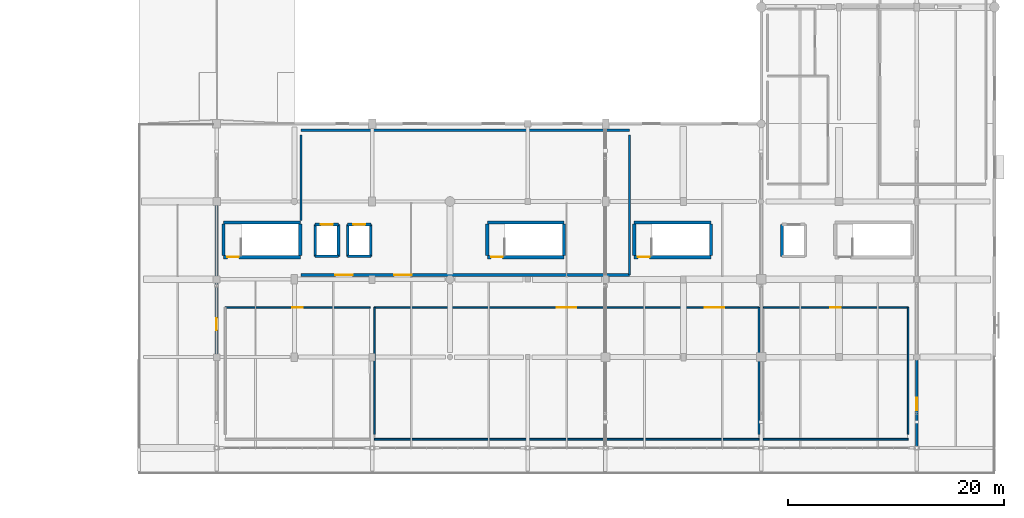
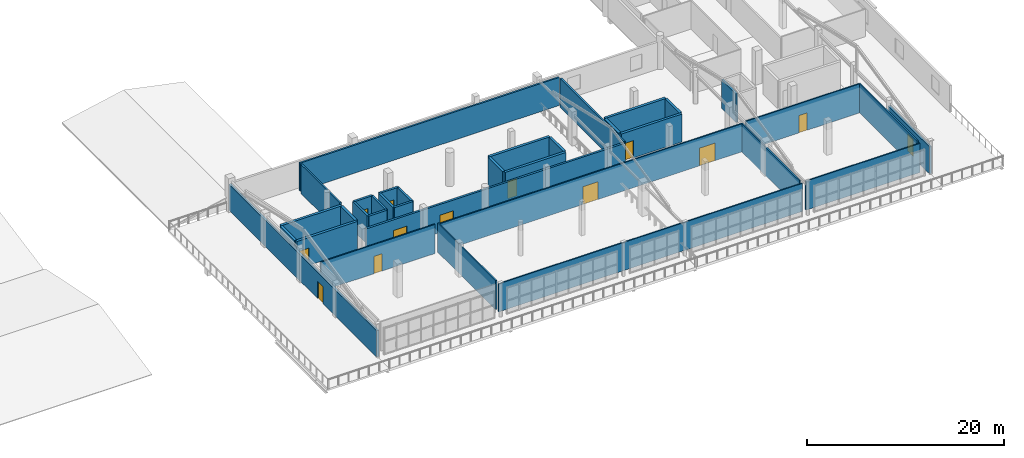
# One storey, part 34 of 41: 35 walls, 13 doors, 13 openings.
"""IFC4 building model written with IfcOpenShell, lengths in metres."""

from ifc_helpers import new_model, si_unit, direction, frame, frame_2d, origin, place, context, subcontext, project, spatial, rectangle, extrude, material, layer, layer_set, type_object, element, fill, save


model = new_model("IFC4")

# Units and contexts
model_context = context("Model", 3, precision=1e-05, world=origin(), true_north=direction((0.0, 1.0)))
body_context = subcontext(model_context, "Body", "Model", "MODEL_VIEW")
ifc_project = project(units=[si_unit("LENGTHUNIT", "METRE"), si_unit("AREAUNIT", "SQUARE_METRE"), si_unit("VOLUMEUNIT", "CUBIC_METRE"), si_unit("PLANEANGLEUNIT", "RADIAN"), si_unit("MASSUNIT", "GRAM", prefix="KILO")], contexts=[model_context])

# Site, building, storey
site_placement = place(None, origin())
site = spatial("IfcSite", under=ifc_project, at=site_placement, CompositionType="ELEMENT")
building_placement = place(site_placement, origin())
building = spatial("IfcBuilding", under=site, at=building_placement, Name="Solanera Park Tramway Depot", CompositionType="ELEMENT")
storey_placement = place(building_placement, frame((0.0, 0.0, 13.199951171875)))
storey = spatial("IfcBuildingStorey", under=building, at=storey_placement, Name="L03", CompositionType="ELEMENT", Elevation=13.199951171875)

# Walls
ifc_material_1 = material(Name="Concrete N32 (C32/40)", Category="concrete")
ifc_layer_1 = layer(ifc_material_1, 0.14990234375)
ifc_layer_set_1 = layer_set([ifc_layer_1], Name="Concrete N32 (C32/40)")
wall_type_1 = type_object("IfcWallType", Name="Acoustic Partition 150", PredefinedType="PARTITIONING", material=ifc_layer_set_1)
wall_1_placement = place(storey_placement, frame((165.39990234375, 3.199951171875, 0.0), z_axis=(0.0, 0.0, 1.0), x_axis=(-1.0, 0.0, 0.0)))
element("IfcWall", 1, at=wall_1_placement, inside=storey, type_object=wall_type_1, Name="Transit Authority Civic Boardroom Dividing Wall", PredefinedType="PARTITIONING", context=body_context, shape_type="SweptSolid", body=[
    extrude(rectangle(XDim=35.599853515625, YDim=0.14990234375, at=frame_2d((17.7998046875, 0.0))), origin(), (0.0, 0.0, 1.0), 3.478759765625),
])
wall_2_placement = place(storey_placement, frame((165.39990234375, 3.64990234375, 0.0), z_axis=(0.0, 0.0, 1.0), x_axis=(0.0, 1.0, 0.0)))
element("IfcWall", 2, at=wall_2_placement, inside=storey, type_object=wall_type_1, Name="Transit Authority Civic Boardroom Dividing Wall", PredefinedType="PARTITIONING", context=body_context, shape_type="SweptSolid", body=[
    extrude(rectangle(XDim=11.75, YDim=0.14990234375, at=frame_2d((5.875, 0.0))), origin(), (0.0, 0.0, 1.0), 3.50830078125),
])
wall_3_placement = place(storey_placement, frame((129.800048828125, 15.39990234375, 0.0), z_axis=(0.0, 0.0, 1.0), x_axis=(0.0, -1.0, 0.0)))
element("IfcWall", 3, at=wall_3_placement, inside=storey, type_object=wall_type_1, Name="Transit Authority Civic Boardroom Dividing Wall", PredefinedType="PARTITIONING", context=body_context, shape_type="SweptSolid", body=[
    extrude(rectangle(XDim=11.75, YDim=0.14990234375, at=frame_2d((5.875, 0.0))), origin(), (0.0, 0.0, 1.0), 3.60009765625),
])

# Wall, openings, doors
wall_4_placement = place(storey_placement, frame((129.800048828125, 15.39990234375, 0.0), z_axis=(0.0, 0.0, 1.0), x_axis=(1.0, 0.0, 0.0)))
wall_4 = element("IfcWall", 4, at=wall_4_placement, inside=storey, type_object=wall_type_1, Name="Transit Authority Civic Boardroom Corridor Wall", PredefinedType="PARTITIONING", context=body_context, shape_type="SweptSolid", body=[
    extrude(rectangle(XDim=35.599853515625, YDim=0.14990234375, at=frame_2d((17.7998046875, 0.0))), origin(), (0.0, 0.0, 1.0), 3.478759765625),
])
opening_1_placement = place(wall_4_placement, frame((16.89990234375, 0.0, 0.0)))
opening_1 = element("IfcOpeningElement", 5, at=opening_1_placement, cuts=wall_4, Name="Opening ID-A2D", PredefinedType="OPENING", context=body_context, shape_type="SweptSolid", body=[
    extrude(rectangle(XDim=1.800048828125, YDim=2.199951171875, at=frame_2d((0.89990234375, 1.10009765625))), frame((0.0, 0.0849609375, 0.0), z_axis=(0.0, -1.0, 0.0), x_axis=(1.0, 0.0, 0.0)), (0.0, 0.0, 1.0), 0.169921875),
])
opening_2_placement = place(wall_4_placement, frame((30.60009765625, 0.0, 0.0)))
opening_2 = element("IfcOpeningElement", 6, at=opening_2_placement, cuts=wall_4, Name="Opening ID-A2D", PredefinedType="OPENING", context=body_context, shape_type="SweptSolid", body=[
    extrude(rectangle(XDim=1.800048828125, YDim=2.199951171875, at=frame_2d((0.89990234375, 1.10009765625))), frame((0.0, 0.0849609375, 0.0), z_axis=(0.0, -1.0, 0.0), x_axis=(1.0, 0.0, 0.0)), (0.0, 0.0, 1.0), 0.169921875),
])
ifc_material_2 = material(Name="Fire-rated steel or solid-core hardwood door leaf", Category="steel")
door_type_1 = type_object("IfcDoorType", Name="Assembly Double Door 1800x2200", OperationType="DOUBLE_SWING_RIGHT", PredefinedType="DOOR", material=ifc_material_2)
door_1_placement = place(opening_1_placement, origin())
door_1 = element("IfcDoor", 7, at=door_1_placement, inside=storey, type_object=door_type_1, Name="Transit Authority Civic Boardroom Door", OperationType="DOUBLE_SWING_RIGHT", OverallHeight=2.199951171875, OverallWidth=1.800048828125, PredefinedType="DOOR", context=body_context, shape_type="SweptSolid", body=[
    extrude(rectangle(XDim=1.800048828125, YDim=2.199951171875, at=frame_2d((0.89990234375, 1.10009765625))), frame((0.0, 0.02490234375, 0.0), z_axis=(0.0, -1.0, 0.0), x_axis=(1.0, 0.0, 0.0)), (0.0, 0.0, 1.0), 0.050048828125),
])
fill(opening_1, door_1)
door_2_placement = place(opening_2_placement, origin())
door_2 = element("IfcDoor", 8, at=door_2_placement, inside=storey, type_object=door_type_1, Name="Transit Authority Civic Boardroom Secondary Exit Door", OperationType="DOUBLE_SWING_RIGHT", OverallHeight=2.199951171875, OverallWidth=1.800048828125, PredefinedType="DOOR", context=body_context, shape_type="SweptSolid", body=[
    extrude(rectangle(XDim=1.800048828125, YDim=2.199951171875, at=frame_2d((0.89990234375, 1.10009765625))), frame((0.0, 0.02490234375, 0.0), z_axis=(0.0, -1.0, 0.0), x_axis=(1.0, 0.0, 0.0)), (0.0, 0.0, 1.0), 0.050048828125),
])
fill(opening_2, door_2)

# Wall, opening, door
wall_5_placement = place(storey_placement, frame((116.0, 15.39990234375, 0.0), z_axis=(0.0, 0.0, 1.0), x_axis=(1.0, 0.0, 0.0)))
wall_5 = element("IfcWall", 9, at=wall_5_placement, inside=storey, type_object=wall_type_1, Name="Managing Director and Executive Offices Corridor Wall", PredefinedType="PARTITIONING", context=body_context, shape_type="SweptSolid", body=[
    extrude(rectangle(XDim=13.39990234375, YDim=0.14990234375, at=frame_2d((6.699951171875, 0.0))), origin(), (0.0, 0.0, 1.0), 3.60009765625),
])
opening_3_placement = place(wall_5_placement, frame((6.219970703125, 0.0, 0.0)))
opening_3 = element("IfcOpeningElement", 10, at=opening_3_placement, cuts=wall_5, Name="Opening ID-O1L", PredefinedType="OPENING", context=body_context, shape_type="SweptSolid", body=[
    extrude(rectangle(XDim=0.9599609375, YDim=2.14990234375, at=frame_2d((0.47998046875, 1.074951171875))), frame((0.0, 0.0849609375, 0.0), z_axis=(0.0, -1.0, 0.0), x_axis=(1.0, 0.0, 0.0)), (0.0, 0.0, 1.0), 0.169921875),
])
ifc_material_3 = material(Name="Fire-rated steel or solid-core hardwood door leaf", Category="steel")
door_type_2 = type_object("IfcDoorType", Name="Office Single Door L 960x2150", OperationType="SINGLE_SWING_LEFT", PredefinedType="DOOR", material=ifc_material_3)
door_3_placement = place(opening_3_placement, origin())
door_3 = element("IfcDoor", 11, at=door_3_placement, inside=storey, type_object=door_type_2, Name="Managing Director and Executive Offices Door", OperationType="SINGLE_SWING_LEFT", OverallHeight=2.14990234375, OverallWidth=0.9599609375, PredefinedType="DOOR", context=body_context, shape_type="SweptSolid", body=[
    extrude(rectangle(XDim=0.9599609375, YDim=2.14990234375, at=frame_2d((0.47998046875, 1.074951171875))), frame((0.0, 0.02490234375, 0.0), z_axis=(0.0, -1.0, 0.0), x_axis=(1.0, 0.0, 0.0)), (0.0, 0.0, 1.0), 0.050048828125),
])
fill(opening_3, door_3)

# Walls
wall_6_placement = place(storey_placement, frame((179.199951171875, 3.199951171875, 0.0), z_axis=(0.0, 0.0, 1.0), x_axis=(-1.0, 0.0, 0.0)))
element("IfcWall", 12, at=wall_6_placement, inside=storey, type_object=wall_type_1, Name="Procurement, Legal and Safety Directorate Dividing Wall", PredefinedType="PARTITIONING", context=body_context, shape_type="SweptSolid", body=[
    extrude(rectangle(XDim=13.39990234375, YDim=0.14990234375, at=frame_2d((6.699951171875, 0.0))), origin(), (0.0, 0.0, 1.0), 3.60009765625),
])
wall_7_placement = place(storey_placement, frame((179.199951171875, 3.64990234375, 0.0), z_axis=(0.0, 0.0, 1.0), x_axis=(0.0, 1.0, 0.0)))
element("IfcWall", 13, at=wall_7_placement, inside=storey, type_object=wall_type_1, Name="Procurement, Legal and Safety Directorate Dividing Wall", PredefinedType="PARTITIONING", context=body_context, shape_type="SweptSolid", body=[
    extrude(rectangle(XDim=11.75, YDim=0.14990234375, at=frame_2d((5.875, 0.0))), origin(), (0.0, 0.0, 1.0), 3.60009765625),
])

# Wall, opening, door
wall_8_placement = place(storey_placement, frame((165.800048828125, 15.39990234375, 0.0), z_axis=(0.0, 0.0, 1.0), x_axis=(1.0, 0.0, 0.0)))
wall_8 = element("IfcWall", 14, at=wall_8_placement, inside=storey, type_object=wall_type_1, Name="Procurement, Legal and Safety Directorate Corridor Wall", PredefinedType="PARTITIONING", context=body_context, shape_type="SweptSolid", body=[
    extrude(rectangle(XDim=13.39990234375, YDim=0.14990234375, at=frame_2d((6.699951171875, 0.0))), origin(), (0.0, 0.0, 1.0), 3.60009765625),
])
opening_4_placement = place(wall_8_placement, frame((6.215087890625, 0.0, 0.0)))
opening_4 = element("IfcOpeningElement", 15, at=opening_4_placement, cuts=wall_8, Name="Opening ID-O1R", PredefinedType="OPENING", context=body_context, shape_type="SweptSolid", body=[
    extrude(rectangle(XDim=0.969970703125, YDim=2.14990234375, at=frame_2d((0.48486328125, 1.074951171875))), frame((0.0, 0.0849609375, 0.0), z_axis=(0.0, -1.0, 0.0), x_axis=(1.0, 0.0, 0.0)), (0.0, 0.0, 1.0), 0.169921875),
])
ifc_material_4 = material(Name="Fire-rated steel or solid-core hardwood door leaf", Category="steel")
door_type_3 = type_object("IfcDoorType", Name="Office Single Door R 970x2150", OperationType="SINGLE_SWING_RIGHT", PredefinedType="DOOR", material=ifc_material_4)
door_4_placement = place(opening_4_placement, origin())
door_4 = element("IfcDoor", 16, at=door_4_placement, inside=storey, type_object=door_type_3, Name="Procurement, Legal and Safety Directorate Door", OperationType="SINGLE_SWING_RIGHT", OverallHeight=2.14990234375, OverallWidth=0.969970703125, PredefinedType="DOOR", context=body_context, shape_type="SweptSolid", body=[
    extrude(rectangle(XDim=0.969970703125, YDim=2.14990234375, at=frame_2d((0.48486328125, 1.074951171875))), frame((0.0, 0.02490234375, 0.0), z_axis=(0.0, -1.0, 0.0), x_axis=(1.0, 0.0, 0.0)), (0.0, 0.0, 1.0), 0.050048828125),
])
fill(opening_4, door_4)

ifc_material_5 = material(Name="Concrete N40 (C40/50)", Category="concrete")
ifc_layer_2 = layer(ifc_material_5, 0.300048828125)
ifc_layer_set_2 = layer_set([ifc_layer_2], Name="Concrete N40 (C40/50)")
wall_type_2 = type_object("IfcWallType", Name="Core Shear Wall 300", PredefinedType="SHEAR", material=ifc_layer_set_2)
wall_9_placement = place(storey_placement, frame((115.85009765625, 20.050048828125, 0.0), z_axis=(0.0, 0.0, 1.0), x_axis=(1.0, 0.0, 0.0)))
wall_9 = element("IfcWall", 17, at=wall_9_placement, inside=storey, type_object=wall_type_2, Name="ST-01 L03 Shear Core Wall S", PredefinedType="SHEAR", context=body_context, shape_type="SweptSolid", body=[
    extrude(rectangle(XDim=7.099853515625, YDim=0.300048828125, at=frame_2d((3.5498046875, 0.0))), origin(), (0.0, 0.0, 1.0), 3.449951171875),
])
opening_5_placement = place(wall_9_placement, frame((0.35009765625, 0.0, 0.0)))
opening_5 = element("IfcOpeningElement", 18, at=opening_5_placement, cuts=wall_9, Name="Opening FD-S1R", PredefinedType="OPENING", context=body_context, shape_type="SweptSolid", body=[
    extrude(rectangle(XDim=1.070068359375, YDim=2.14990234375, at=frame_2d((0.53515625, 1.074951171875))), frame((0.0, 0.16015625, 0.0), z_axis=(0.0, -1.0, 0.0), x_axis=(1.0, 0.0, 0.0)), (0.0, 0.0, 1.0), 0.320068359375),
])
ifc_material_6 = material(Name="Fire-rated steel or solid-core hardwood door leaf", Category="steel")
door_type_4 = type_object("IfcDoorType", Name="Stair Fire Door R 1070x2150", OperationType="SINGLE_SWING_RIGHT", PredefinedType="DOOR", material=ifc_material_6)
door_5_placement = place(opening_5_placement, origin())
door_5 = element("IfcDoor", 19, at=door_5_placement, inside=storey, type_object=door_type_4, Name="ST-01 L03 Stair Fire Door", OperationType="SINGLE_SWING_RIGHT", OverallHeight=2.14990234375, OverallWidth=1.070068359375, PredefinedType="DOOR", context=body_context, shape_type="SweptSolid", body=[
    extrude(rectangle(XDim=1.070068359375, YDim=2.14990234375, at=frame_2d((0.53515625, 1.074951171875))), frame((0.0, 0.02490234375, 0.0), z_axis=(0.0, -1.0, 0.0), x_axis=(1.0, 0.0, 0.0)), (0.0, 0.0, 1.0), 0.050048828125),
])
fill(opening_5, door_5)

# Walls
wall_10_placement = place(storey_placement, frame((122.949951171875, 23.25, 0.0), z_axis=(0.0, 0.0, 1.0), x_axis=(-1.0, 0.0, 0.0)))
element("IfcWall", 20, at=wall_10_placement, inside=storey, type_object=wall_type_2, Name="ST-01 L03 Shear Core Wall N", PredefinedType="SHEAR", context=body_context, shape_type="SweptSolid", body=[
    extrude(rectangle(XDim=7.099853515625, YDim=0.300048828125, at=frame_2d((3.5498046875, 0.0))), origin(), (0.0, 0.0, 1.0), 3.449951171875),
])
for number, where, z_axis, x_axis, name in (
    (21, (122.949951171875, 20.199951171875, 0.0), (0.0, 0.0, 1.0), (0.0, 1.0, 0.0), "ST-01 L03 Shear Core Wall E"),
    (22, (115.85009765625, 23.10009765625, 0.0), (0.0, 0.0, 1.0), (0.0, -1.0, 0.0), "ST-01 L03 Shear Core Wall W"),
):
    element("IfcWall", number, at=place(storey_placement, frame(where, z_axis=z_axis, x_axis=x_axis)), inside=storey, type_object=wall_type_2, Name=name, PredefinedType="SHEAR", context=body_context, shape_type="SweptSolid", body=[
        extrude(rectangle(XDim=2.900146484375, YDim=0.300048828125, at=frame_2d((1.4501953125, 0.0))), origin(), (0.0, 0.0, 1.0), 3.449951171875),
    ])

# Wall, opening, door
wall_11_placement = place(storey_placement, frame((140.25, 20.050048828125, 0.0), z_axis=(0.0, 0.0, 1.0), x_axis=(1.0, 0.0, 0.0)))
wall_11 = element("IfcWall", 23, at=wall_11_placement, inside=storey, type_object=wall_type_2, Name="ST-02 L03 Shear Core Wall S", PredefinedType="SHEAR", context=body_context, shape_type="SweptSolid", body=[
    extrude(rectangle(XDim=7.10009765625, YDim=0.300048828125, at=frame_2d((3.550048828125, 0.0))), origin(), (0.0, 0.0, 1.0), 3.449951171875),
])
opening_6_placement = place(wall_11_placement, frame((0.35009765625, 0.0, 0.0)))
opening_6 = element("IfcOpeningElement", 24, at=opening_6_placement, cuts=wall_11, Name="Opening FD-S1R", PredefinedType="OPENING", context=body_context, shape_type="SweptSolid", body=[
    extrude(rectangle(XDim=1.070068359375, YDim=2.14990234375, at=frame_2d((0.53515625, 1.074951171875))), frame((0.0, 0.16015625, 0.0), z_axis=(0.0, -1.0, 0.0), x_axis=(1.0, 0.0, 0.0)), (0.0, 0.0, 1.0), 0.320068359375),
])
door_6_placement = place(opening_6_placement, origin())
door_6 = element("IfcDoor", 25, at=door_6_placement, inside=storey, type_object=door_type_4, Name="ST-02 L03 Stair Fire Door", OperationType="SINGLE_SWING_RIGHT", OverallHeight=2.14990234375, OverallWidth=1.070068359375, PredefinedType="DOOR", context=body_context, shape_type="SweptSolid", body=[
    extrude(rectangle(XDim=1.070068359375, YDim=2.14990234375, at=frame_2d((0.53515625, 1.074951171875))), frame((0.0, 0.02490234375, 0.0), z_axis=(0.0, -1.0, 0.0), x_axis=(1.0, 0.0, 0.0)), (0.0, 0.0, 1.0), 0.050048828125),
])
fill(opening_6, door_6)

# Walls
wall_12_placement = place(storey_placement, frame((147.35009765625, 23.25, 0.0), z_axis=(0.0, 0.0, 1.0), x_axis=(-1.0, 0.0, 0.0)))
element("IfcWall", 26, at=wall_12_placement, inside=storey, type_object=wall_type_2, Name="ST-02 L03 Shear Core Wall N", PredefinedType="SHEAR", context=body_context, shape_type="SweptSolid", body=[
    extrude(rectangle(XDim=7.10009765625, YDim=0.300048828125, at=frame_2d((3.550048828125, 0.0))), origin(), (0.0, 0.0, 1.0), 3.449951171875),
])
for number, where, z_axis, x_axis, name in (
    (27, (147.35009765625, 20.199951171875, 0.0), (0.0, 0.0, 1.0), (0.0, 1.0, 0.0), "ST-02 L03 Shear Core Wall E"),
    (28, (140.25, 23.10009765625, 0.0), (0.0, 0.0, 1.0), (0.0, -1.0, 0.0), "ST-02 L03 Shear Core Wall W"),
):
    element("IfcWall", number, at=place(storey_placement, frame(where, z_axis=z_axis, x_axis=x_axis)), inside=storey, type_object=wall_type_2, Name=name, PredefinedType="SHEAR", context=body_context, shape_type="SweptSolid", body=[
        extrude(rectangle(XDim=2.900146484375, YDim=0.300048828125, at=frame_2d((1.4501953125, 0.0))), origin(), (0.0, 0.0, 1.0), 3.449951171875),
    ])

# Wall, opening, door
wall_13_placement = place(storey_placement, frame((153.85009765625, 20.050048828125, 0.0), z_axis=(0.0, 0.0, 1.0), x_axis=(1.0, 0.0, 0.0)))
wall_13 = element("IfcWall", 29, at=wall_13_placement, inside=storey, type_object=wall_type_2, Name="ST-03 L03 Shear Core Wall S", PredefinedType="SHEAR", context=body_context, shape_type="SweptSolid", body=[
    extrude(rectangle(XDim=7.099853515625, YDim=0.300048828125, at=frame_2d((3.5498046875, 0.0))), origin(), (0.0, 0.0, 1.0), 3.449951171875),
])
opening_7_placement = place(wall_13_placement, frame((0.35009765625, 0.0, 0.0)))
opening_7 = element("IfcOpeningElement", 30, at=opening_7_placement, cuts=wall_13, Name="Opening FD-S1R", PredefinedType="OPENING", context=body_context, shape_type="SweptSolid", body=[
    extrude(rectangle(XDim=1.070068359375, YDim=2.14990234375, at=frame_2d((0.53515625, 1.074951171875))), frame((0.0, 0.16015625, 0.0), z_axis=(0.0, -1.0, 0.0), x_axis=(1.0, 0.0, 0.0)), (0.0, 0.0, 1.0), 0.320068359375),
])
door_7_placement = place(opening_7_placement, origin())
door_7 = element("IfcDoor", 31, at=door_7_placement, inside=storey, type_object=door_type_4, Name="ST-03 L03 Stair Fire Door", OperationType="SINGLE_SWING_RIGHT", OverallHeight=2.14990234375, OverallWidth=1.070068359375, PredefinedType="DOOR", context=body_context, shape_type="SweptSolid", body=[
    extrude(rectangle(XDim=1.070068359375, YDim=2.14990234375, at=frame_2d((0.53515625, 1.074951171875))), frame((0.0, 0.02490234375, 0.0), z_axis=(0.0, -1.0, 0.0), x_axis=(1.0, 0.0, 0.0)), (0.0, 0.0, 1.0), 0.050048828125),
])
fill(opening_7, door_7)

# Walls
wall_14_placement = place(storey_placement, frame((160.949951171875, 23.25, 0.0), z_axis=(0.0, 0.0, 1.0), x_axis=(-1.0, 0.0, 0.0)))
element("IfcWall", 32, at=wall_14_placement, inside=storey, type_object=wall_type_2, Name="ST-03 L03 Shear Core Wall N", PredefinedType="SHEAR", context=body_context, shape_type="SweptSolid", body=[
    extrude(rectangle(XDim=7.099853515625, YDim=0.300048828125, at=frame_2d((3.5498046875, 0.0))), origin(), (0.0, 0.0, 1.0), 3.449951171875),
])
for number, where, z_axis, x_axis, name in (
    (33, (160.949951171875, 20.199951171875, 0.0), (0.0, 0.0, 1.0), (0.0, 1.0, 0.0), "ST-03 L03 Shear Core Wall E"),
    (34, (153.85009765625, 23.10009765625, 0.0), (0.0, 0.0, 1.0), (0.0, -1.0, 0.0), "ST-03 L03 Shear Core Wall W"),
):
    element("IfcWall", number, at=place(storey_placement, frame(where, z_axis=z_axis, x_axis=x_axis)), inside=storey, type_object=wall_type_2, Name=name, PredefinedType="SHEAR", context=body_context, shape_type="SweptSolid", body=[
        extrude(rectangle(XDim=2.900146484375, YDim=0.300048828125, at=frame_2d((1.4501953125, 0.0))), origin(), (0.0, 0.0, 1.0), 3.449951171875),
    ])

# Wall, opening, door
ifc_material_7 = material(Name="Concrete N32 (C32/40)", Category="concrete")
ifc_layer_3 = layer(ifc_material_7, 0.25)
ifc_layer_set_3 = layer_set([ifc_layer_3], Name="Concrete N32 (C32/40)")
wall_type_3 = type_object("IfcWallType", Name="Ext Stucco Wall 250", PredefinedType="SOLIDWALL", material=ifc_layer_set_3)
wall_15_placement = place(storey_placement, frame((115.199951171875, 32.39990234375, 0.0), z_axis=(0.0, 0.0, 1.0), x_axis=(0.0, -1.0, 0.0)))
wall_15 = element("IfcWall", 35, at=wall_15_placement, inside=storey, type_object=wall_type_3, Name="L03 Exterior Wall #035", PredefinedType="SOLIDWALL", context=body_context, shape_type="SweptSolid", body=[
    extrude(rectangle(XDim=30.0, YDim=0.25, at=frame_2d((15.0, 0.0))), origin(), (0.0, 0.0, 1.0), 3.2529296875),
])
opening_8_placement = place(wall_15_placement, frame((18.0, 0.0, 0.0)))
opening_8 = element("IfcOpeningElement", 36, at=opening_8_placement, cuts=wall_15, Name="Opening ED-03", PredefinedType="OPENING", context=body_context, shape_type="SweptSolid", body=[
    extrude(rectangle(XDim=1.10009765625, YDim=2.14990234375, at=frame_2d((0.550048828125, 1.074951171875))), frame((0.0, 0.135009765625, 0.0), z_axis=(0.0, -1.0, 0.0), x_axis=(1.0, 0.0, 0.0)), (0.0, 0.0, 1.0), 0.27001953125),
])
ifc_material_8 = material(Name="Powder-coated aluminium and steel portal leaf", Category="steel")
door_type_5 = type_object("IfcDoorType", Name="Azotea Terrace Glazed Door 1100x2150", OperationType="SINGLE_SWING_LEFT", PredefinedType="DOOR", material=ifc_material_8)
door_8_placement = place(opening_8_placement, origin())
door_8 = element("IfcDoor", 37, at=door_8_placement, inside=storey, type_object=door_type_5, Name="West Azotea Roof Terrace Door", OperationType="SINGLE_SWING_LEFT", OverallHeight=2.14990234375, OverallWidth=1.10009765625, PredefinedType="DOOR", context=body_context, shape_type="SweptSolid", body=[
    extrude(rectangle(XDim=1.10009765625, YDim=2.14990234375, at=frame_2d((0.550048828125, 1.074951171875))), frame((0.0, 0.02490234375, 0.0), z_axis=(0.0, -1.0, 0.0), x_axis=(1.0, 0.0, 0.0)), (0.0, 0.0, 1.0), 0.050048828125),
])
fill(opening_8, door_8)

wall_16_placement = place(storey_placement, frame((180.0, 2.39990234375, 0.0), z_axis=(0.0, 0.0, 1.0), x_axis=(0.0, 1.0, 0.0)))
wall_16 = element("IfcWall", 38, at=wall_16_placement, inside=storey, type_object=wall_type_3, Name="L03 Exterior Wall #036", PredefinedType="SOLIDWALL", context=body_context, shape_type="SweptSolid", body=[
    extrude(rectangle(XDim=8.400146484375, YDim=0.25, at=frame_2d((4.2001953125, 0.0))), origin(), (0.0, 0.0, 1.0), 3.35009765625),
])
opening_9_placement = place(wall_16_placement, frame((3.5, 0.0, 0.0)))
opening_9 = element("IfcOpeningElement", 39, at=opening_9_placement, cuts=wall_16, Name="Opening ED-04", PredefinedType="OPENING", context=body_context, shape_type="SweptSolid", body=[
    extrude(rectangle(XDim=1.14990234375, YDim=2.14990234375, at=frame_2d((0.574951171875, 1.074951171875))), frame((0.0, 0.135009765625, 0.0), z_axis=(0.0, -1.0, 0.0), x_axis=(1.0, 0.0, 0.0)), (0.0, 0.0, 1.0), 0.27001953125),
])
ifc_material_9 = material(Name="Powder-coated aluminium and steel portal leaf", Category="steel")
door_type_6 = type_object("IfcDoorType", Name="Azotea Terrace Glazed Door R 1150x2150", OperationType="SINGLE_SWING_RIGHT", PredefinedType="DOOR", material=ifc_material_9)
door_9_placement = place(opening_9_placement, origin())
door_9 = element("IfcDoor", 40, at=door_9_placement, inside=storey, type_object=door_type_6, Name="East Azotea Roof Terrace Door", OperationType="SINGLE_SWING_RIGHT", OverallHeight=2.14990234375, OverallWidth=1.14990234375, PredefinedType="DOOR", context=body_context, shape_type="SweptSolid", body=[
    extrude(rectangle(XDim=1.14990234375, YDim=2.14990234375, at=frame_2d((0.574951171875, 1.074951171875))), frame((0.0, 0.02490234375, 0.0), z_axis=(0.0, -1.0, 0.0), x_axis=(1.0, 0.0, 0.0)), (0.0, 0.0, 1.0), 0.050048828125),
])
fill(opening_9, door_9)

# Walls
ifc_material_10 = material(Name="Concrete N32 (C32/40)", Category="concrete")
ifc_layer_4 = layer(ifc_material_10, 0.199951171875)
ifc_layer_set_4 = layer_set([ifc_layer_4], Name="Concrete N32 (C32/40)")
wall_type_4 = type_object("IfcWallType", Name="Fire Compartment Wall 200", PredefinedType="SOLIDWALL", material=ifc_layer_set_4)
wall_17_placement = place(storey_placement, frame((123.0, 31.800048828125, 0.0), z_axis=(0.0, 0.0, 1.0), x_axis=(1.0, 0.0, 0.0)))
element("IfcWall", 41, at=wall_17_placement, inside=storey, type_object=wall_type_4, Name="Standards Library and Technical Archive Dividing Wall", PredefinedType="SOLIDWALL", context=body_context, shape_type="SweptSolid", body=[
    extrude(rectangle(XDim=30.39990234375, YDim=0.199951171875, at=frame_2d((15.199951171875, 0.0))), origin(), (0.0, 0.0, 1.0), 3.478759765625),
])
wall_18_placement = place(storey_placement, frame((153.39990234375, 18.39990234375, 0.0), z_axis=(0.0, 0.0, 1.0), x_axis=(0.0, 1.0, 0.0)))
element("IfcWall", 42, at=wall_18_placement, inside=storey, type_object=wall_type_4, Name="Standards Library and Technical Archive Dividing Wall", PredefinedType="SOLIDWALL", context=body_context, shape_type="SweptSolid", body=[
    extrude(rectangle(XDim=12.9501953125, YDim=0.199951171875, at=frame_2d((6.47509765625, 0.0))), origin(), (0.0, 0.0, 1.0), 3.60009765625),
])
wall_19_placement = place(storey_placement, frame((123.0, 31.35009765625, 0.0), z_axis=(0.0, 0.0, 1.0), x_axis=(0.0, -1.0, 0.0)))
element("IfcWall", 43, at=wall_19_placement, inside=storey, type_object=wall_type_4, Name="Standards Library and Technical Archive Dividing Wall", PredefinedType="SOLIDWALL", context=body_context, shape_type="SweptSolid", body=[
    extrude(rectangle(XDim=7.900146484375, YDim=0.199951171875, at=frame_2d((3.9501953125, 0.0))), origin(), (0.0, 0.0, 1.0), 3.60009765625),
])

# Wall, openings, doors
ifc_material_11 = material(Name="Concrete N32 (C32/40)", Category="concrete")
ifc_layer_5 = layer(ifc_material_11, 0.239990234375)
ifc_layer_set_5 = layer_set([ifc_layer_5], Name="Concrete N32 (C32/40)")
wall_type_5 = type_object("IfcWallType", Name="Inter-Class Fire Wall 240", PredefinedType="SOLIDWALL", material=ifc_layer_set_5)
wall_20_placement = place(storey_placement, frame((153.39990234375, 18.39990234375, 0.0), z_axis=(0.0, 0.0, 1.0), x_axis=(-1.0, 0.0, 0.0)))
wall_20 = element("IfcWall", 44, at=wall_20_placement, inside=storey, type_object=wall_type_5, Name="Standards Library and Technical Archive Corridor Wall", PredefinedType="SOLIDWALL", context=body_context, shape_type="SweptSolid", body=[
    extrude(rectangle(XDim=30.39990234375, YDim=0.239990234375, at=frame_2d((15.199951171875, 0.0))), origin(), (0.0, 0.0, 1.0), 3.478759765625),
])
opening_10_placement = place(wall_20_placement, frame((20.159912109375, 0.0, 0.0)))
opening_10 = element("IfcOpeningElement", 45, at=opening_10_placement, cuts=wall_20, Name="Opening FD-K2D", PredefinedType="OPENING", context=body_context, shape_type="SweptSolid", body=[
    extrude(rectangle(XDim=1.60009765625, YDim=2.14990234375, at=frame_2d((0.800048828125, 1.074951171875))), frame((0.0, 0.1298828125, 0.0), z_axis=(0.0, -1.0, 0.0), x_axis=(1.0, 0.0, 0.0)), (0.0, 0.0, 1.0), 0.260009765625),
])
opening_11_placement = place(wall_20_placement, frame((25.60009765625, 0.0, 0.0)))
opening_11 = element("IfcOpeningElement", 46, at=opening_11_placement, cuts=wall_20, Name="Opening FD-K2D", PredefinedType="OPENING", context=body_context, shape_type="SweptSolid", body=[
    extrude(rectangle(XDim=1.60009765625, YDim=2.14990234375, at=frame_2d((0.800048828125, 1.074951171875))), frame((0.0, 0.1298828125, 0.0), z_axis=(0.0, -1.0, 0.0), x_axis=(1.0, 0.0, 0.0)), (0.0, 0.0, 1.0), 0.260009765625),
])
ifc_material_12 = material(Name="Fire-rated steel or solid-core hardwood door leaf", Category="steel")
door_type_7 = type_object("IfcDoorType", Name="Store Double Fire Door 1600x2150", OperationType="DOUBLE_SWING_RIGHT", PredefinedType="DOOR", material=ifc_material_12)
door_10_placement = place(opening_10_placement, origin())
door_10 = element("IfcDoor", 47, at=door_10_placement, inside=storey, type_object=door_type_7, Name="Standards Library and Technical Archive Door", OperationType="DOUBLE_SWING_RIGHT", OverallHeight=2.14990234375, OverallWidth=1.60009765625, PredefinedType="DOOR", context=body_context, shape_type="SweptSolid", body=[
    extrude(rectangle(XDim=1.60009765625, YDim=2.14990234375, at=frame_2d((0.800048828125, 1.074951171875))), frame((0.0, 0.02490234375, 0.0), z_axis=(0.0, -1.0, 0.0), x_axis=(1.0, 0.0, 0.0)), (0.0, 0.0, 1.0), 0.050048828125),
])
fill(opening_10, door_10)
door_11_placement = place(opening_11_placement, origin())
door_11 = element("IfcDoor", 48, at=door_11_placement, inside=storey, type_object=door_type_7, Name="Standards Library and Technical Archive Secondary Exit Door", OperationType="DOUBLE_SWING_RIGHT", OverallHeight=2.14990234375, OverallWidth=1.60009765625, PredefinedType="DOOR", context=body_context, shape_type="SweptSolid", body=[
    extrude(rectangle(XDim=1.60009765625, YDim=2.14990234375, at=frame_2d((0.800048828125, 1.074951171875))), frame((0.0, 0.02490234375, 0.0), z_axis=(0.0, -1.0, 0.0), x_axis=(1.0, 0.0, 0.0)), (0.0, 0.0, 1.0), 0.050048828125),
])
fill(opening_11, door_11)

# Wall
ifc_material_13 = material(Name="Concrete N40 (C40/50)", Category="concrete")
ifc_layer_6 = layer(ifc_material_13, 0.25)
ifc_layer_set_6 = layer_set([ifc_layer_6], Name="Concrete N40 (C40/50)")
wall_type_6 = type_object("IfcWallType", Name="Lift Shaft Shear Wall 250", PredefinedType="SHEAR", material=ifc_layer_set_6)
wall_21_placement = place(storey_placement, frame((124.324951171875, 20.125, 0.0), z_axis=(0.0, 0.0, 1.0), x_axis=(1.0, 0.0, 0.0)))
element("IfcWall", 49, at=wall_21_placement, inside=storey, type_object=wall_type_6, Name="LF-01 L03 Lift Shaft Wall S", PredefinedType="SHEAR", context=body_context, shape_type="SweptSolid", body=[
    extrude(rectangle(XDim=2.150146484375, YDim=0.25, at=frame_2d((1.0751953125, 0.0))), origin(), (0.0, 0.0, 1.0), 3.550048828125),
])

# Wall, opening, door
wall_22_placement = place(storey_placement, frame((126.47509765625, 23.074951171875, 0.0), z_axis=(0.0, 0.0, 1.0), x_axis=(-1.0, 0.0, 0.0)))
wall_22 = element("IfcWall", 50, at=wall_22_placement, inside=storey, type_object=wall_type_6, Name="LF-01 L03 Lift Shaft Wall N", PredefinedType="SHEAR", context=body_context, shape_type="SweptSolid", body=[
    extrude(rectangle(XDim=2.150146484375, YDim=0.25, at=frame_2d((1.0751953125, 0.0))), origin(), (0.0, 0.0, 1.0), 3.550048828125),
])
opening_12_placement = place(wall_22_placement, frame((0.52490234375, 0.0, 0.0)))
opening_12 = element("IfcOpeningElement", 51, at=opening_12_placement, cuts=wall_22, Name="Opening LD-01", PredefinedType="OPENING", context=body_context, shape_type="SweptSolid", body=[
    extrude(rectangle(XDim=1.10009765625, YDim=2.14990234375, at=frame_2d((0.550048828125, 1.074951171875))), frame((0.0, 0.135009765625, 0.0), z_axis=(0.0, -1.0, 0.0), x_axis=(1.0, 0.0, 0.0)), (0.0, 0.0, 1.0), 0.27001953125),
])
ifc_material_14 = material(Name="Fire-rated steel or solid-core hardwood door leaf", Category="steel")
door_type_8 = type_object("IfcDoorType", Name="Lift Landing Sliding Door 1100x2150", OperationType="SLIDING_TO_LEFT", PredefinedType="DOOR", material=ifc_material_14)
door_12_placement = place(opening_12_placement, origin())
door_12 = element("IfcDoor", 52, at=door_12_placement, inside=storey, type_object=door_type_8, Name="LF-01 L03 Lift Landing Sliding Door", OperationType="SLIDING_TO_LEFT", OverallHeight=2.14990234375, OverallWidth=1.10009765625, PredefinedType="DOOR", context=body_context, shape_type="SweptSolid", body=[
    extrude(rectangle(XDim=1.10009765625, YDim=2.14990234375, at=frame_2d((0.550048828125, 1.074951171875))), frame((0.0, 0.02490234375, 0.0), z_axis=(0.0, -1.0, 0.0), x_axis=(1.0, 0.0, 0.0)), (0.0, 0.0, 1.0), 0.050048828125),
])
fill(opening_12, door_12)

# Walls
for number, where, z_axis, x_axis, name in (
    (53, (124.324951171875, 23.074951171875, 0.0), (0.0, 0.0, 1.0), (0.0, -1.0, 0.0), "LF-01 L03 Lift Shaft Wall W"),
    (54, (126.47509765625, 20.125, 0.0), (0.0, 0.0, 1.0), (0.0, 1.0, 0.0), "LF-01 L03 Lift Shaft Wall E"),
):
    element("IfcWall", number, at=place(storey_placement, frame(where, z_axis=z_axis, x_axis=x_axis)), inside=storey, type_object=wall_type_6, Name=name, PredefinedType="SHEAR", context=body_context, shape_type="SweptSolid", body=[
        extrude(rectangle(XDim=2.949951171875, YDim=0.25, at=frame_2d((1.47509765625, 0.0))), origin(), (0.0, 0.0, 1.0), 3.550048828125),
    ])
wall_23_placement = place(storey_placement, frame((127.324951171875, 20.125, 0.0), z_axis=(0.0, 0.0, 1.0), x_axis=(1.0, 0.0, 0.0)))
element("IfcWall", 55, at=wall_23_placement, inside=storey, type_object=wall_type_6, Name="LF-02 L03 Lift Shaft Wall S", PredefinedType="SHEAR", context=body_context, shape_type="SweptSolid", body=[
    extrude(rectangle(XDim=2.150146484375, YDim=0.25, at=frame_2d((1.0751953125, 0.0))), origin(), (0.0, 0.0, 1.0), 3.550048828125),
])

# Wall, opening, door
wall_24_placement = place(storey_placement, frame((129.47509765625, 23.074951171875, 0.0), z_axis=(0.0, 0.0, 1.0), x_axis=(-1.0, 0.0, 0.0)))
wall_24 = element("IfcWall", 56, at=wall_24_placement, inside=storey, type_object=wall_type_6, Name="LF-02 L03 Lift Shaft Wall N", PredefinedType="SHEAR", context=body_context, shape_type="SweptSolid", body=[
    extrude(rectangle(XDim=2.150146484375, YDim=0.25, at=frame_2d((1.0751953125, 0.0))), origin(), (0.0, 0.0, 1.0), 3.550048828125),
])
opening_13_placement = place(wall_24_placement, frame((0.52490234375, 0.0, 0.0)))
opening_13 = element("IfcOpeningElement", 57, at=opening_13_placement, cuts=wall_24, Name="Opening LD-01", PredefinedType="OPENING", context=body_context, shape_type="SweptSolid", body=[
    extrude(rectangle(XDim=1.10009765625, YDim=2.14990234375, at=frame_2d((0.550048828125, 1.074951171875))), frame((0.0, 0.135009765625, 0.0), z_axis=(0.0, -1.0, 0.0), x_axis=(1.0, 0.0, 0.0)), (0.0, 0.0, 1.0), 0.27001953125),
])
door_13_placement = place(opening_13_placement, origin())
door_13 = element("IfcDoor", 58, at=door_13_placement, inside=storey, type_object=door_type_8, Name="LF-02 L03 Lift Landing Sliding Door", OperationType="SLIDING_TO_LEFT", OverallHeight=2.14990234375, OverallWidth=1.10009765625, PredefinedType="DOOR", context=body_context, shape_type="SweptSolid", body=[
    extrude(rectangle(XDim=1.10009765625, YDim=2.14990234375, at=frame_2d((0.550048828125, 1.074951171875))), frame((0.0, 0.02490234375, 0.0), z_axis=(0.0, -1.0, 0.0), x_axis=(1.0, 0.0, 0.0)), (0.0, 0.0, 1.0), 0.050048828125),
])
fill(opening_13, door_13)

# Walls
for number, where, z_axis, x_axis, name in (
    (59, (127.324951171875, 23.074951171875, 0.0), (0.0, 0.0, 1.0), (0.0, -1.0, 0.0), "LF-02 L03 Lift Shaft Wall W"),
    (60, (129.47509765625, 20.125, 0.0), (0.0, 0.0, 1.0), (0.0, 1.0, 0.0), "LF-02 L03 Lift Shaft Wall E"),
    (61, (167.52490234375, 23.074951171875, 0.0), (0.0, 0.0, 1.0), (0.0, -1.0, 0.0), "LF-03 L03 Lift Shaft Wall W"),
):
    element("IfcWall", number, at=place(storey_placement, frame(where, z_axis=z_axis, x_axis=x_axis)), inside=storey, type_object=wall_type_6, Name=name, PredefinedType="SHEAR", context=body_context, shape_type="SweptSolid", body=[
        extrude(rectangle(XDim=2.949951171875, YDim=0.25, at=frame_2d((1.47509765625, 0.0))), origin(), (0.0, 0.0, 1.0), 3.550048828125),
    ])

save(model, "model.ifc")
